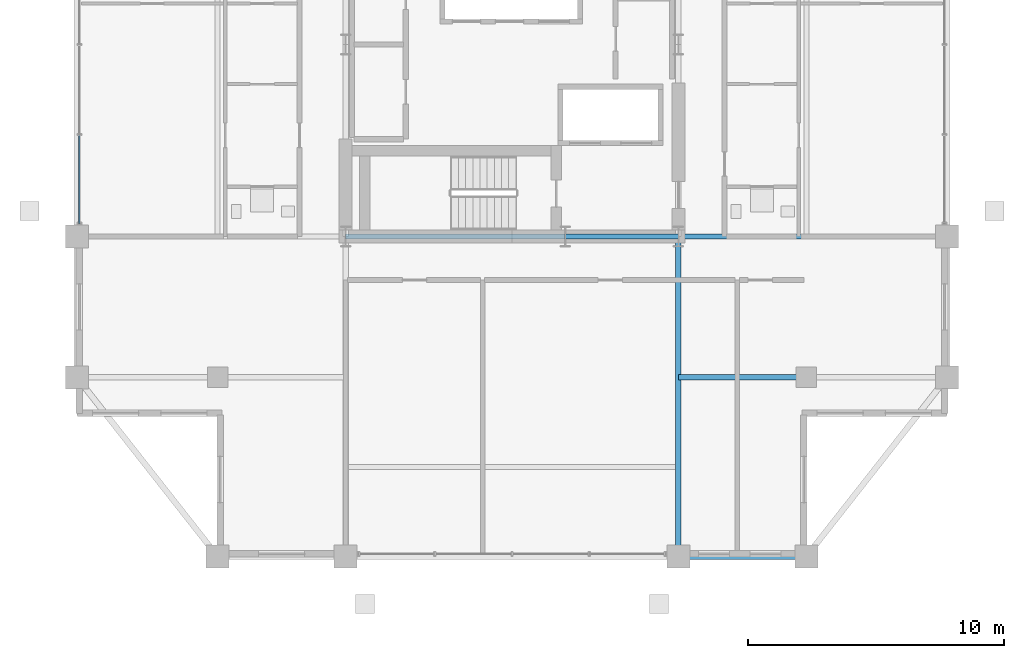
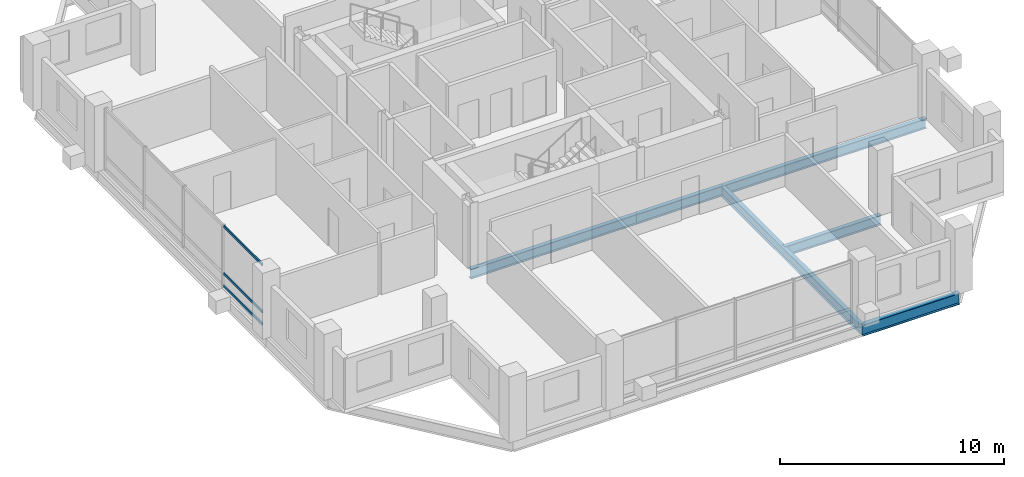
# One storey, part 5 of 21: 6 beams, 3 members, 1 element without a shape of its own.
"""IFC4 building model written with IfcOpenShell, lengths in metres."""

from ifc_helpers import new_model, si_unit, direction, frame, origin, origin_2d, place, context, subcontext, project, spatial, hollow_rectangle, i_section, extrude, material, layer, layer_set, material_profile, profile_set, type_object, element, aggregate, save


model = new_model("IFC4")

# Units and contexts
model_context = context("Model", 3, precision=1e-05, world=origin(), true_north=direction((0.0, 1.0)))
body_context = subcontext(model_context, "Body", "Model", "MODEL_VIEW")
ifc_project = project(units=[si_unit("LENGTHUNIT", "METRE"), si_unit("AREAUNIT", "SQUARE_METRE"), si_unit("VOLUMEUNIT", "CUBIC_METRE"), si_unit("PLANEANGLEUNIT", "RADIAN"), si_unit("MASSUNIT", "GRAM", prefix="KILO")], contexts=[model_context])

# Site, building, storey
site_placement = place(None, origin())
site = spatial("IfcSite", under=ifc_project, at=site_placement, CompositionType="ELEMENT")
building_placement = place(site_placement, origin())
building = spatial("IfcBuilding", under=site, at=building_placement, Name="Barlavira Tower and Art Museum", CompositionType="ELEMENT")
storey_placement = place(building_placement, frame((0.0, 0.0, 287.10009765625)))
storey = spatial("IfcBuildingStorey", under=building, at=storey_placement, Name="L75", CompositionType="ELEMENT", Elevation=287.10009765625)

# Curtain wall, members
ifc_material_1 = material(Name="Low-iron coastal laminated glass", Category="glass")
ifc_layer = layer(ifc_material_1, 0.2099609375, Name="Low-iron coastal laminated glass")
ifc_layer_set = layer_set([ifc_layer], Name="Low-iron coastal laminated glass")
curtain_wall_type = type_object("IfcCurtainWallType", Name="Pale-Metal Unitised Curtain Wall Zone 4", PredefinedType="NOTDEFINED", material=ifc_layer_set)
curtain_wall_placement = place(storey_placement, origin())
curtain_wall = element("IfcCurtainWall", 1, at=curtain_wall_placement, inside=storey, type_object=curtain_wall_type, Name="L75 Curtain Wall CW4-L75-W-B3", PredefinedType="NOTDEFINED")
ifc_material_2 = material(Name="Pale anodised aluminium", Category="aluminium")
ifc_material_profile_1 = material_profile(ifc_material_2, hollow_rectangle(XDim=0.06494140625, YDim=0.139892578125, WallThickness=0.00390625, at=origin_2d()), Name="ALU-TRAN 65x140x4")
ifc_profile_set_1 = profile_set([ifc_material_profile_1], Name="Pale anodised aluminium")
member_type = type_object("IfcMemberType", Name="Curtain Wall Pale-Metal Transom 65x140", PredefinedType="USERDEFINED", material=ifc_profile_set_1)
member_1_placement = place(storey_placement, frame((-16.89990234375, -3.56005859375, 0.06982421875), z_axis=(0.0, -1.0, 0.0), x_axis=(1.0, 0.0, 0.0)))
member_1 = element("IfcMember", 2, at=member_1_placement, type_object=member_type, Name="CW4-L75-W-B3 Transom 3.1", ObjectType="TRANSOM", PredefinedType="USERDEFINED", context=body_context, shape_type="SweptSolid", body=[
    extrude(hollow_rectangle(XDim=0.06494140625, YDim=0.139892578125, WallThickness=0.00390625, at=origin_2d()), origin(), (0.0, 0.0, 1.0), 3.425048828125),
])
member_2_placement = place(storey_placement, frame((-16.89990234375, -3.56005859375, 0.743896484375), z_axis=(0.0, -1.0, 0.0), x_axis=(1.0, 0.0, 0.0)))
member_2 = element("IfcMember", 3, at=member_2_placement, type_object=member_type, Name="CW4-L75-W-B3 Transom 3.2", ObjectType="TRANSOM", PredefinedType="USERDEFINED", context=body_context, shape_type="SweptSolid", body=[
    extrude(hollow_rectangle(XDim=0.06494140625, YDim=0.139892578125, WallThickness=0.00390625, at=origin_2d()), origin(), (0.0, 0.0, 1.0), 3.425048828125),
])
member_3_placement = place(storey_placement, frame((-16.89990234375, -3.56005859375, 3.309814453125), z_axis=(0.0, -1.0, 0.0), x_axis=(1.0, 0.0, 0.0)))
member_3 = element("IfcMember", 4, at=member_3_placement, type_object=member_type, Name="CW4-L75-W-B3 Transom 3.3", ObjectType="TRANSOM", PredefinedType="USERDEFINED", context=body_context, shape_type="SweptSolid", body=[
    extrude(hollow_rectangle(XDim=0.06494140625, YDim=0.139892578125, WallThickness=0.00390625, at=origin_2d()), origin(), (0.0, 0.0, 1.0), 3.425048828125),
])
aggregate(curtain_wall, [member_1, member_2, member_3])

# Beams
ifc_material_3 = material(Name="Steel S355", Category="steel")
ifc_material_profile_2 = material_profile(ifc_material_3, i_section(OverallWidth=0.22998046875, OverallDepth=0.616943359375, WebThickness=0.01318359375, FlangeThickness=0.022216796875, at=origin_2d()), Name="W610x140.0")
ifc_profile_set_2 = profile_set([ifc_material_profile_2], Name="Steel S355")
beam_type_1 = type_object("IfcBeamType", Name="Upper Shaft Spandrel Edge Beam W610x140 Steel S355", PredefinedType="SPANDREL", material=ifc_profile_set_2)
beam_1_placement = place(storey_placement, frame((6.5, -20.0, -0.528564453125), z_axis=(1.0, 0.0, 0.0), x_axis=(0.0, 1.0, 0.0)))
element("IfcBeam", 5, at=beam_1_placement, inside=storey, type_object=beam_type_1, Name="L75 Spandrel 3", PredefinedType="SPANDREL", context=body_context, shape_type="SweptSolid", body=[
    extrude(i_section(OverallWidth=0.22998046875, OverallDepth=0.616943359375, WebThickness=0.01318359375, FlangeThickness=0.022216796875, at=origin_2d()), origin(), (0.0, 0.0, 1.0), 5.0),
])
ifc_material_profile_3 = material_profile(ifc_material_3, i_section(OverallWidth=0.2109375, OverallDepth=0.5390625, WebThickness=0.01171875, FlangeThickness=0.018798828125, at=origin_2d()), Name="W530x109.0")
ifc_profile_set_3 = profile_set([ifc_material_profile_3], Name="Steel S355")
beam_type_2 = type_object("IfcBeamType", Name="Zone 3-4 Primary Floor Girder W530x109 Steel S355", PredefinedType="BEAM", material=ifc_profile_set_3)
beam_2_placement = place(storey_placement, frame((-6.5, -7.5, -0.489501953125), z_axis=(1.0, 0.0, 0.0), x_axis=(0.0, 1.0, 0.0)))
element("IfcBeam", 6, at=beam_2_placement, inside=storey, type_object=beam_type_2, Name="L75 Girder C-S1", PredefinedType="BEAM", context=body_context, shape_type="SweptSolid", body=[
    extrude(i_section(OverallWidth=0.2109375, OverallDepth=0.5390625, WebThickness=0.01171875, FlangeThickness=0.018798828125, at=origin_2d()), origin(), (0.0, 0.0, 1.0), 8.580078125),
])
beam_3_placement = place(storey_placement, frame((2.080078125, -7.5, -0.489501953125), z_axis=(1.0, 0.0, 0.0), x_axis=(0.0, 1.0, 0.0)))
element("IfcBeam", 7, at=beam_3_placement, inside=storey, type_object=beam_type_2, Name="L75 Girder C-S2", PredefinedType="BEAM", context=body_context, shape_type="SweptSolid", body=[
    extrude(i_section(OverallWidth=0.2109375, OverallDepth=0.5390625, WebThickness=0.01171875, FlangeThickness=0.018798828125, at=origin_2d()), origin(), (0.0, 0.0, 1.0), 4.419921875),
])
beam_4_placement = place(storey_placement, frame((6.5, -20.0, -0.489501953125), z_axis=(0.0, 1.0, 0.0), x_axis=(-1.0, 0.0, 0.0)))
element("IfcBeam", 8, at=beam_4_placement, inside=storey, type_object=beam_type_2, Name="L75 Girder R-S2", PredefinedType="BEAM", context=body_context, shape_type="SweptSolid", body=[
    extrude(i_section(OverallWidth=0.2109375, OverallDepth=0.5390625, WebThickness=0.01171875, FlangeThickness=0.018798828125, at=origin_2d()), origin(), (0.0, 0.0, 1.0), 12.5),
])
beam_5_placement = place(storey_placement, frame((6.5, -7.5, -0.489501953125), z_axis=(1.0, 0.0, 0.0), x_axis=(0.0, 1.0, 0.0)))
element("IfcBeam", 9, at=beam_5_placement, inside=storey, type_object=beam_type_2, Name="L75 Girder R-E1", PredefinedType="BEAM", context=body_context, shape_type="SweptSolid", body=[
    extrude(i_section(OverallWidth=0.2109375, OverallDepth=0.5390625, WebThickness=0.01171875, FlangeThickness=0.018798828125, at=origin_2d()), origin(), (0.0, 0.0, 1.0), 10.5),
])
beam_6_placement = place(storey_placement, frame((6.5, -13.0, -0.489501953125), z_axis=(1.0, 0.0, 0.0), x_axis=(0.0, 1.0, 0.0)))
element("IfcBeam", 10, at=beam_6_placement, inside=storey, type_object=beam_type_2, Name="L75 Girder I-S3", PredefinedType="BEAM", context=body_context, shape_type="SweptSolid", body=[
    extrude(i_section(OverallWidth=0.2109375, OverallDepth=0.5390625, WebThickness=0.01171875, FlangeThickness=0.018798828125, at=origin_2d()), origin(), (0.0, 0.0, 1.0), 5.0),
])

save(model, "model.ifc")
